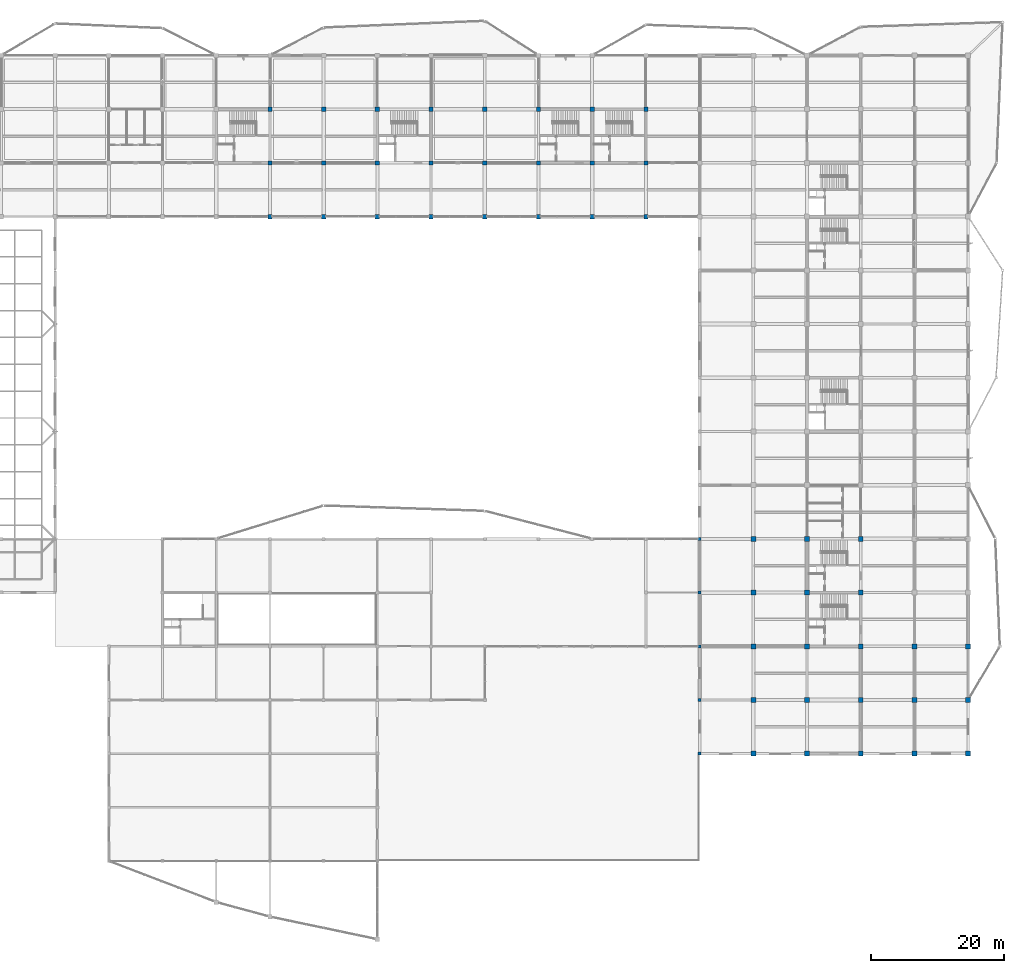
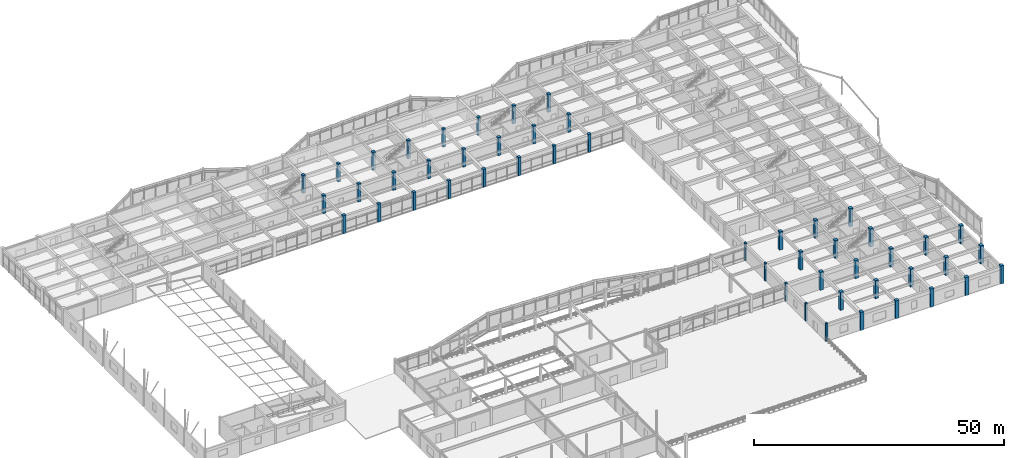
# One storey, part 11 of 89: 50 columns.
"""IFC4 building model written with IfcOpenShell, lengths in metres."""

from ifc_helpers import new_model, si_unit, direction, frame, origin, origin_2d, place, context, subcontext, project, spatial, rectangle, extrude, material, material_profile, profile_set, type_object, element, save


model = new_model("IFC4")

# Units and contexts
model_context = context("Model", 3, precision=1e-05, world=origin(), true_north=direction((0.0, 1.0)))
body_context = subcontext(model_context, "Body", "Model", "MODEL_VIEW")
ifc_project = project(units=[si_unit("LENGTHUNIT", "METRE"), si_unit("AREAUNIT", "SQUARE_METRE"), si_unit("VOLUMEUNIT", "CUBIC_METRE"), si_unit("PLANEANGLEUNIT", "RADIAN"), si_unit("MASSUNIT", "GRAM", prefix="KILO")], contexts=[model_context])

# Site, building, storey
site_placement = place(None, origin())
site = spatial("IfcSite", under=ifc_project, at=site_placement, CompositionType="ELEMENT")
building_placement = place(site_placement, origin())
building = spatial("IfcBuilding", under=site, at=building_placement, Name="Vaudrelin Polytechnic", CompositionType="ELEMENT")
storey_placement = place(building_placement, frame((0.0, 0.0, 9.68994140625)))
storey = spatial("IfcBuildingStorey", under=building, at=storey_placement, Name="L02", CompositionType="ELEMENT", Elevation=9.68994140625)

# Columns
ifc_material_1 = material(Name="Concrete 40 MPa", Category="concrete")
ifc_material_profile_1 = material_profile(ifc_material_1, rectangle(XDim=0.449951171875, YDim=0.449951171875, at=origin_2d()), Name="RC450x450")
ifc_profile_set_1 = profile_set([ifc_material_profile_1], Name="Concrete 40 MPa")
column_type_1 = type_object("IfcColumnType", Name="COL-C-RC450", PredefinedType="COLUMN", material=ifc_profile_set_1)
for number, where, z_axis, x_axis, name in (
    (1, (129.60009765625, 16.199951171875, 0.0), (0.0, 0.0, 1.0), (1.0, 0.0, 0.0), "Column L02 17-3"),
    (2, (129.60009765625, 24.300048828125, 0.0), (0.0, 0.0, 1.0), (1.0, 0.0, 0.0), "Column L02 17-4"),
    (3, (129.60009765625, 32.39990234375, 0.0), (0.0, 0.0, 1.0), (1.0, 0.0, 0.0), "Column L02 17-5"),
    (4, (129.60009765625, 40.5, 0.0), (0.0, 0.0, 1.0), (1.0, 0.0, 0.0), "Column L02 17-6"),
    (5, (129.60009765625, 48.60009765625, 0.0), (0.0, 0.0, 1.0), (1.0, 0.0, 0.0), "Column L02 17-7"),
):
    element("IfcColumn", number, at=place(storey_placement, frame(where, z_axis=z_axis, x_axis=x_axis)), inside=storey, type_object=column_type_1, Name=name, PredefinedType="COLUMN", context=body_context, shape_type="SweptSolid", body=[
        extrude(rectangle(XDim=0.449951171875, YDim=0.449951171875, at=origin_2d()), origin(), (0.0, 0.0, 1.0), 4.420166015625),
    ])
ifc_material_profile_2 = material_profile(ifc_material_1, rectangle(XDim=0.64990234375, YDim=0.64990234375, at=origin_2d()), Name="RC650x650")
ifc_profile_set_2 = profile_set([ifc_material_profile_2], Name="Concrete 40 MPa")
column_type_2 = type_object("IfcColumnType", Name="COL-C-RC650", PredefinedType="COLUMN", material=ifc_profile_set_2)
for number, where, z_axis, x_axis, name in (
    (6, (64.800048828125, 97.199951171875, 0.0), (0.0, 0.0, 1.0), (1.0, 0.0, 0.0), "Column L02 9-13"),
    (7, (64.800048828125, 105.300048828125, 0.0), (0.0, 0.0, 1.0), (1.0, 0.0, 0.0), "Column L02 9-14"),
    (8, (64.800048828125, 113.39990234375, 0.0), (0.0, 0.0, 1.0), (1.0, 0.0, 0.0), "Column L02 9-15"),
    (9, (72.89990234375, 97.199951171875, 0.0), (0.0, 0.0, 1.0), (1.0, 0.0, 0.0), "Column L02 10-13"),
    (10, (72.89990234375, 105.300048828125, 0.0), (0.0, 0.0, 1.0), (1.0, 0.0, 0.0), "Column L02 10-14"),
    (11, (72.89990234375, 113.39990234375, 0.0), (0.0, 0.0, 1.0), (1.0, 0.0, 0.0), "Column L02 10-15"),
    (12, (81.0, 97.199951171875, 0.0), (0.0, 0.0, 1.0), (1.0, 0.0, 0.0), "Column L02 11-13"),
    (13, (81.0, 105.300048828125, 0.0), (0.0, 0.0, 1.0), (1.0, 0.0, 0.0), "Column L02 11-14"),
    (14, (81.0, 113.39990234375, 0.0), (0.0, 0.0, 1.0), (1.0, 0.0, 0.0), "Column L02 11-15"),
    (15, (89.10009765625, 97.199951171875, 0.0), (0.0, 0.0, 1.0), (1.0, 0.0, 0.0), "Column L02 12-13"),
    (16, (89.10009765625, 105.300048828125, 0.0), (0.0, 0.0, 1.0), (1.0, 0.0, 0.0), "Column L02 12-14"),
    (17, (89.10009765625, 113.39990234375, 0.0), (0.0, 0.0, 1.0), (1.0, 0.0, 0.0), "Column L02 12-15"),
    (18, (97.199951171875, 97.199951171875, 0.0), (0.0, 0.0, 1.0), (1.0, 0.0, 0.0), "Column L02 13-13"),
    (19, (97.199951171875, 105.300048828125, 0.0), (0.0, 0.0, 1.0), (1.0, 0.0, 0.0), "Column L02 13-14"),
    (20, (97.199951171875, 113.39990234375, 0.0), (0.0, 0.0, 1.0), (1.0, 0.0, 0.0), "Column L02 13-15"),
    (21, (105.300048828125, 97.199951171875, 0.0), (0.0, 0.0, 1.0), (1.0, 0.0, 0.0), "Column L02 14-13"),
    (22, (105.300048828125, 105.300048828125, 0.0), (0.0, 0.0, 1.0), (1.0, 0.0, 0.0), "Column L02 14-14"),
    (23, (105.300048828125, 113.39990234375, 0.0), (0.0, 0.0, 1.0), (1.0, 0.0, 0.0), "Column L02 14-15"),
    (24, (113.39990234375, 97.199951171875, 0.0), (0.0, 0.0, 1.0), (1.0, 0.0, 0.0), "Column L02 15-13"),
    (25, (113.39990234375, 105.300048828125, 0.0), (0.0, 0.0, 1.0), (1.0, 0.0, 0.0), "Column L02 15-14"),
    (26, (113.39990234375, 113.39990234375, 0.0), (0.0, 0.0, 1.0), (1.0, 0.0, 0.0), "Column L02 15-15"),
    (27, (121.5, 97.199951171875, 0.0), (0.0, 0.0, 1.0), (1.0, 0.0, 0.0), "Column L02 16-13"),
    (28, (121.5, 105.300048828125, 0.0), (0.0, 0.0, 1.0), (1.0, 0.0, 0.0), "Column L02 16-14"),
    (29, (121.5, 113.39990234375, 0.0), (0.0, 0.0, 1.0), (1.0, 0.0, 0.0), "Column L02 16-15"),
):
    element("IfcColumn", number, at=place(storey_placement, frame(where, z_axis=z_axis, x_axis=x_axis)), inside=storey, type_object=column_type_2, Name=name, PredefinedType="COLUMN", context=body_context, shape_type="SweptSolid", body=[
        extrude(rectangle(XDim=0.64990234375, YDim=0.64990234375, at=origin_2d()), origin(), (0.0, 0.0, 1.0), 4.420166015625),
    ])
ifc_material_2 = material(Name="Concrete 50 MPa", Category="concrete")
ifc_material_profile_3 = material_profile(ifc_material_2, rectangle(XDim=0.75, YDim=0.75, at=origin_2d()), Name="RC750x750")
ifc_profile_set_3 = profile_set([ifc_material_profile_3], Name="Concrete 50 MPa")
column_type_3 = type_object("IfcColumnType", Name="COL-C-RC750", PredefinedType="COLUMN", material=ifc_profile_set_3)
for number, where, z_axis, x_axis, name in (
    (30, (137.699951171875, 16.199951171875, 0.0), (0.0, 0.0, 1.0), (1.0, 0.0, 0.0), "Column L02 18-3"),
    (31, (137.699951171875, 24.300048828125, 0.0), (0.0, 0.0, 1.0), (1.0, 0.0, 0.0), "Column L02 18-4"),
    (32, (137.699951171875, 32.39990234375, 0.0), (0.0, 0.0, 1.0), (1.0, 0.0, 0.0), "Column L02 18-5"),
    (33, (137.699951171875, 40.5, 0.0), (0.0, 0.0, 1.0), (1.0, 0.0, 0.0), "Column L02 18-6"),
    (34, (137.699951171875, 48.60009765625, 0.0), (0.0, 0.0, 1.0), (1.0, 0.0, 0.0), "Column L02 18-7"),
    (35, (145.800048828125, 16.199951171875, 0.0), (0.0, 0.0, 1.0), (1.0, 0.0, 0.0), "Column L02 19-3"),
    (36, (145.800048828125, 24.300048828125, 0.0), (0.0, 0.0, 1.0), (1.0, 0.0, 0.0), "Column L02 19-4"),
    (37, (145.800048828125, 32.39990234375, 0.0), (0.0, 0.0, 1.0), (1.0, 0.0, 0.0), "Column L02 19-5"),
    (38, (145.800048828125, 40.5, 0.0), (0.0, 0.0, 1.0), (1.0, 0.0, 0.0), "Column L02 19-6"),
    (39, (145.800048828125, 48.60009765625, 0.0), (0.0, 0.0, 1.0), (1.0, 0.0, 0.0), "Column L02 19-7"),
    (40, (153.89990234375, 16.199951171875, 0.0), (0.0, 0.0, 1.0), (1.0, 0.0, 0.0), "Column L02 20-3"),
    (41, (153.89990234375, 24.300048828125, 0.0), (0.0, 0.0, 1.0), (1.0, 0.0, 0.0), "Column L02 20-4"),
    (42, (153.89990234375, 32.39990234375, 0.0), (0.0, 0.0, 1.0), (1.0, 0.0, 0.0), "Column L02 20-5"),
    (43, (153.89990234375, 40.5, 0.0), (0.0, 0.0, 1.0), (1.0, 0.0, 0.0), "Column L02 20-6"),
    (44, (153.89990234375, 48.60009765625, 0.0), (0.0, 0.0, 1.0), (1.0, 0.0, 0.0), "Column L02 20-7"),
    (45, (162.0, 16.199951171875, 0.0), (0.0, 0.0, 1.0), (1.0, 0.0, 0.0), "Column L02 21-3"),
    (46, (162.0, 24.300048828125, 0.0), (0.0, 0.0, 1.0), (1.0, 0.0, 0.0), "Column L02 21-4"),
    (47, (162.0, 32.39990234375, 0.0), (0.0, 0.0, 1.0), (1.0, 0.0, 0.0), "Column L02 21-5"),
    (48, (170.10009765625, 16.199951171875, 0.0), (0.0, 0.0, 1.0), (1.0, 0.0, 0.0), "Column L02 22-3"),
    (49, (170.10009765625, 24.300048828125, 0.0), (0.0, 0.0, 1.0), (1.0, 0.0, 0.0), "Column L02 22-4"),
    (50, (170.10009765625, 32.39990234375, 0.0), (0.0, 0.0, 1.0), (1.0, 0.0, 0.0), "Column L02 22-5"),
):
    element("IfcColumn", number, at=place(storey_placement, frame(where, z_axis=z_axis, x_axis=x_axis)), inside=storey, type_object=column_type_3, Name=name, PredefinedType="COLUMN", context=body_context, shape_type="SweptSolid", body=[
        extrude(rectangle(XDim=0.75, YDim=0.75, at=origin_2d()), origin(), (0.0, 0.0, 1.0), 4.420166015625),
    ])

save(model, "model.ifc")
